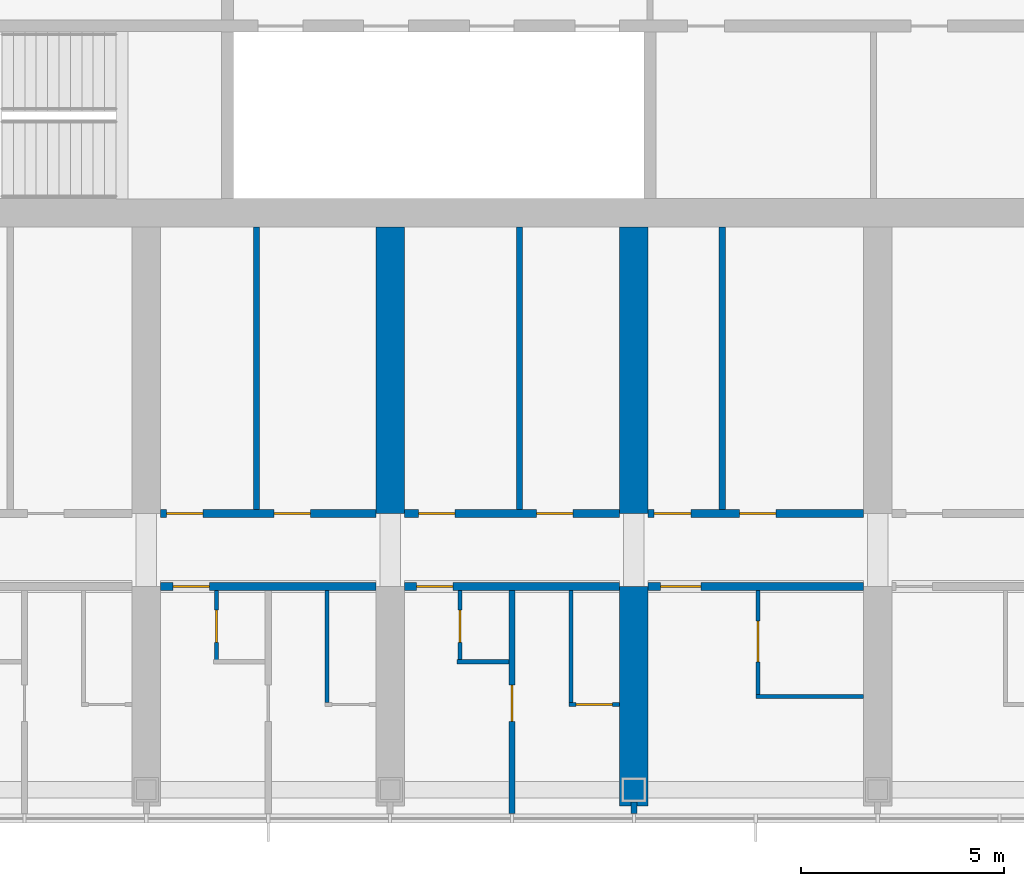
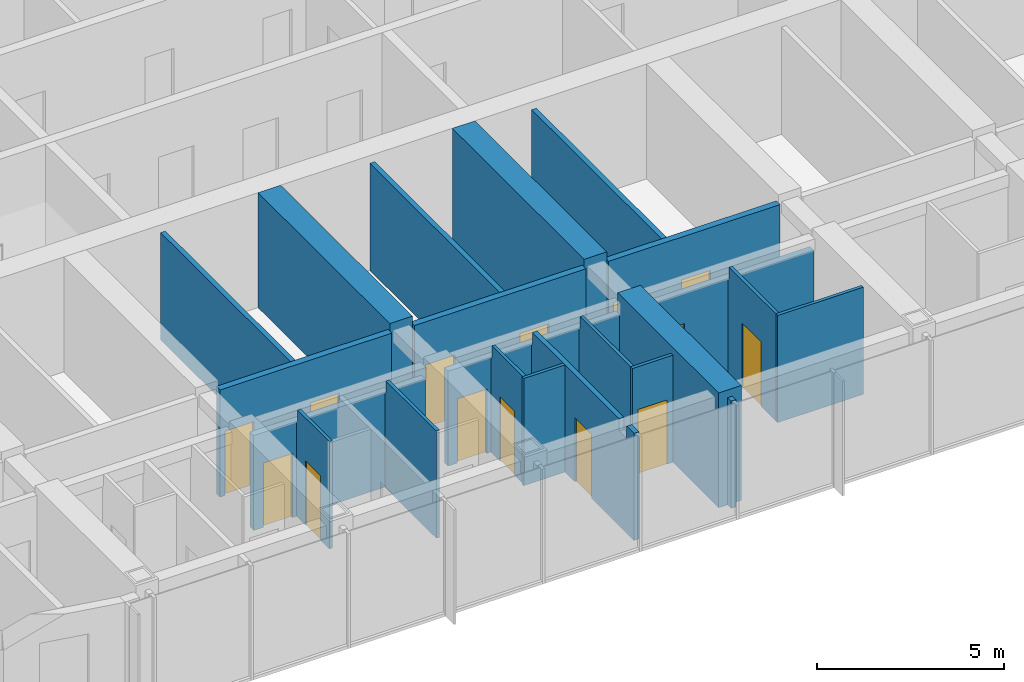
# One storey, part 11 of 24: 22 walls, 14 doors, 14 openings.
"""IFC4 building model written with IfcOpenShell, lengths in metres."""

from ifc_helpers import new_model, si_unit, direction, frame, frame_2d, origin, place, context, subcontext, project, spatial, polyline, rectangle, outline, extrude, material, layer, layer_set, type_object, element, fill, save


model = new_model("IFC4")

# Units and contexts
model_context = context("Model", 3, precision=1e-05, world=origin(), true_north=direction((0.0, 1.0)))
body_context = subcontext(model_context, "Body", "Model", "MODEL_VIEW")
ifc_project = project(units=[si_unit("LENGTHUNIT", "METRE"), si_unit("AREAUNIT", "SQUARE_METRE"), si_unit("VOLUMEUNIT", "CUBIC_METRE"), si_unit("PLANEANGLEUNIT", "RADIAN"), si_unit("MASSUNIT", "GRAM", prefix="KILO")], contexts=[model_context])

# Site, building, storey
site_placement = place(None, origin())
site = spatial("IfcSite", under=ifc_project, at=site_placement, CompositionType="ELEMENT")
building_placement = place(site_placement, origin())
building = spatial("IfcBuilding", under=site, at=building_placement, Name="Orbita Commons", CompositionType="ELEMENT")
storey_placement = place(building_placement, frame((0.0, 0.0, 235.300048828125)))
storey = spatial("IfcBuildingStorey", under=building, at=storey_placement, Name="L58", CompositionType="ELEMENT", Elevation=235.300048828125)

# Wall, opening, door
ifc_material_1 = material(Name="Concrete blockwork", Category="masonry")
ifc_layer_1 = layer(ifc_material_1, 0.199951171875)
ifc_layer_set_1 = layer_set([ifc_layer_1], Name="Concrete blockwork")
wall_type_1 = type_object("IfcWallType", Name="Corridor wall 200 blockwork", PredefinedType="SOLIDWALL", material=ifc_layer_set_1)
wall_1_placement = place(storey_placement, frame((24.35009765625, 16.60009765625, 0.0), z_axis=(0.0, 0.0, 1.0), x_axis=(1.0, 0.0, 0.0)))
wall_1 = element("IfcWall", 1, at=wall_1_placement, inside=storey, type_object=wall_type_1, Name="Corridor wall 200 blockwork L58", PredefinedType="SOLIDWALL", context=body_context, shape_type="SweptSolid", body=[
    extrude(outline(polyline([(0.0, 0.0), (5.2998046875, 0.0), (5.300048828125, 3.099853515625), (0.0, 3.099853515625), (0.0, 0.0)])), frame((0.0, 0.10009765625, 0.0), z_axis=(0.0, -1.0, 0.0), x_axis=(1.0, 0.0, 0.0)), (0.0, 0.0, 1.0), 0.199951171875),
])
opening_1_placement = place(wall_1_placement, frame((0.300048828125, 0.0, 0.0)))
opening_1 = element("IfcOpeningElement", 2, at=opening_1_placement, cuts=wall_1, Name="Opening D11", PredefinedType="OPENING", context=body_context, shape_type="SweptSolid", body=[
    extrude(rectangle(XDim=0.89990234375, YDim=2.10009765625, at=frame_2d((0.449951171875, 1.050048828125))), frame((0.0, 0.10986328125, 0.0), z_axis=(0.0, -1.0, 0.0), x_axis=(1.0, 0.0, 0.0)), (0.0, 0.0, 1.0), 0.219970703125),
])
ifc_material_2 = material(Name="Steel-faced fire door leaf", Category="steel")
door_type_1 = type_object("IfcDoorType", Name="Corridor door 20 min 900x2100", OperationType="SINGLE_SWING_LEFT", PredefinedType="DOOR", material=ifc_material_2)
door_1_placement = place(opening_1_placement, origin())
door_1 = element("IfcDoor", 3, at=door_1_placement, inside=storey, type_object=door_type_1, Name="Guest suite sitting room and kitchenette L58-S02 entrance door", OperationType="SINGLE_SWING_LEFT", OverallHeight=2.10009765625, OverallWidth=0.89990234375, PredefinedType="DOOR", context=body_context, shape_type="SweptSolid", body=[
    extrude(rectangle(XDim=0.89990234375, YDim=2.10009765625, at=frame_2d((0.449951171875, 1.050048828125))), frame((0.0, 0.02490234375, 0.0), z_axis=(0.0, -1.0, 0.0), x_axis=(1.0, 0.0, 0.0)), (0.0, 0.0, 1.0), 0.050048828125),
])
fill(opening_1, door_1)

wall_2_placement = place(storey_placement, frame((30.35009765625, 16.60009765625, 0.0), z_axis=(0.0, 0.0, 1.0), x_axis=(1.0, 0.0, 0.0)))
wall_2 = element("IfcWall", 4, at=wall_2_placement, inside=storey, type_object=wall_type_1, Name="Corridor wall 200 blockwork L58", PredefinedType="SOLIDWALL", context=body_context, shape_type="SweptSolid", body=[
    extrude(outline(polyline([(0.0, 0.0), (5.2998046875, 0.0), (5.300048828125, 3.099853515625), (0.0, 3.099853515625), (0.0, 0.0)])), frame((0.0, 0.10009765625, 0.0), z_axis=(0.0, -1.0, 0.0), x_axis=(1.0, 0.0, 0.0)), (0.0, 0.0, 1.0), 0.199951171875),
])
opening_2_placement = place(wall_2_placement, frame((0.300048828125, 0.0, 0.0)))
opening_2 = element("IfcOpeningElement", 5, at=opening_2_placement, cuts=wall_2, Name="Opening D11", PredefinedType="OPENING", context=body_context, shape_type="SweptSolid", body=[
    extrude(rectangle(XDim=0.89990234375, YDim=2.10009765625, at=frame_2d((0.449951171875, 1.050048828125))), frame((0.0, 0.10986328125, 0.0), z_axis=(0.0, -1.0, 0.0), x_axis=(1.0, 0.0, 0.0)), (0.0, 0.0, 1.0), 0.219970703125),
])
door_2_placement = place(opening_2_placement, origin())
door_2 = element("IfcDoor", 6, at=door_2_placement, inside=storey, type_object=door_type_1, Name="Guest suite sitting room and kitchenette L58-S04 entrance door", OperationType="SINGLE_SWING_LEFT", OverallHeight=2.10009765625, OverallWidth=0.89990234375, PredefinedType="DOOR", context=body_context, shape_type="SweptSolid", body=[
    extrude(rectangle(XDim=0.89990234375, YDim=2.10009765625, at=frame_2d((0.449951171875, 1.050048828125))), frame((0.0, 0.02490234375, 0.0), z_axis=(0.0, -1.0, 0.0), x_axis=(1.0, 0.0, 0.0)), (0.0, 0.0, 1.0), 0.050048828125),
])
fill(opening_2, door_2)

wall_3_placement = place(storey_placement, frame((36.35009765625, 16.60009765625, 0.0), z_axis=(0.0, 0.0, 1.0), x_axis=(1.0, 0.0, 0.0)))
wall_3 = element("IfcWall", 7, at=wall_3_placement, inside=storey, type_object=wall_type_1, Name="Corridor wall 200 blockwork L58", PredefinedType="SOLIDWALL", context=body_context, shape_type="SweptSolid", body=[
    extrude(outline(polyline([(0.0, 0.0), (5.2998046875, 0.0), (5.300048828125, 3.099853515625), (0.0, 3.099853515625), (0.0, 0.0)])), frame((0.0, 0.10009765625, 0.0), z_axis=(0.0, -1.0, 0.0), x_axis=(1.0, 0.0, 0.0)), (0.0, 0.0, 1.0), 0.199951171875),
])
opening_3_placement = place(wall_3_placement, frame((0.300048828125, 0.0, 0.0)))
opening_3 = element("IfcOpeningElement", 8, at=opening_3_placement, cuts=wall_3, Name="Opening D06", PredefinedType="OPENING", context=body_context, shape_type="SweptSolid", body=[
    extrude(rectangle(XDim=1.0, YDim=2.10009765625, at=frame_2d((0.5, 1.050048828125))), frame((0.0, 0.10986328125, 0.0), z_axis=(0.0, -1.0, 0.0), x_axis=(1.0, 0.0, 0.0)), (0.0, 0.0, 1.0), 0.219970703125),
])
ifc_material_3 = material(Name="Steel-faced fire door leaf", Category="steel")
door_type_2 = type_object("IfcDoorType", Name="Corridor door 20 min 1000x2100", OperationType="SINGLE_SWING_LEFT", PredefinedType="DOOR", material=ifc_material_3)
door_3_placement = place(opening_3_placement, origin())
door_3 = element("IfcDoor", 9, at=door_3_placement, inside=storey, type_object=door_type_2, Name="Accessible bedroom L58-S06 door", OperationType="SINGLE_SWING_LEFT", OverallHeight=2.10009765625, OverallWidth=1.0, PredefinedType="DOOR", context=body_context, shape_type="SweptSolid", body=[
    extrude(rectangle(XDim=1.0, YDim=2.10009765625, at=frame_2d((0.5, 1.050048828125))), frame((0.0, 0.02490234375, 0.0), z_axis=(0.0, -1.0, 0.0), x_axis=(1.0, 0.0, 0.0)), (0.0, 0.0, 1.0), 0.050048828125),
])
fill(opening_3, door_3)

# Wall, openings, doors
ifc_material_4 = material(Name="Hollow concrete block 200", Category="concrete")
ifc_layer_2 = layer(ifc_material_4, 0.199951171875)
ifc_layer_set_2 = layer_set([ifc_layer_2], Name="Hollow concrete block 200")
wall_type_2 = type_object("IfcWallType", Name="Corridor wall 200 hollow concrete block", PredefinedType="SOLIDWALL", material=ifc_layer_set_2)
wall_4_placement = place(storey_placement, frame((24.35009765625, 18.39990234375, 0.0), z_axis=(0.0, 0.0, 1.0), x_axis=(1.0, 0.0, 0.0)))
wall_4 = element("IfcWall", 10, at=wall_4_placement, inside=storey, type_object=wall_type_2, Name="Corridor wall 200 hollow concrete block L58", PredefinedType="SOLIDWALL", context=body_context, shape_type="SweptSolid", body=[
    extrude(rectangle(XDim=5.2998046875, YDim=0.199951171875, at=frame_2d((2.64990234375, 0.0))), origin(), (0.0, 0.0, 1.0), 3.5),
])
opening_4_placement = place(wall_4_placement, frame((0.14990234375, 0.0, 0.0)))
opening_4 = element("IfcOpeningElement", 11, at=opening_4_placement, cuts=wall_4, Name="Opening D11", PredefinedType="OPENING", context=body_context, shape_type="SweptSolid", body=[
    extrude(rectangle(XDim=0.89990234375, YDim=2.10009765625, at=frame_2d((0.449951171875, 1.050048828125))), frame((0.0, 0.10986328125, 0.0), z_axis=(0.0, -1.0, 0.0), x_axis=(1.0, 0.0, 0.0)), (0.0, 0.0, 1.0), 0.219970703125),
])
opening_5_placement = place(wall_4_placement, frame((2.7900390625, 0.0, 0.0)))
opening_5 = element("IfcOpeningElement", 12, at=opening_5_placement, cuts=wall_4, Name="Opening D11", PredefinedType="OPENING", context=body_context, shape_type="SweptSolid", body=[
    extrude(rectangle(XDim=0.89990234375, YDim=2.10009765625, at=frame_2d((0.449951171875, 1.050048828125))), frame((0.0, 0.10986328125, 0.0), z_axis=(0.0, -1.0, 0.0), x_axis=(1.0, 0.0, 0.0)), (0.0, 0.0, 1.0), 0.219970703125),
])
door_4_placement = place(opening_4_placement, origin())
door_4 = element("IfcDoor", 13, at=door_4_placement, inside=storey, type_object=door_type_1, Name="Water heater cupboard L58-BDS24n door", OperationType="SINGLE_SWING_LEFT", OverallHeight=2.10009765625, OverallWidth=0.89990234375, PredefinedType="DOOR", context=body_context, shape_type="SweptSolid", body=[
    extrude(rectangle(XDim=0.89990234375, YDim=2.10009765625, at=frame_2d((0.449951171875, 1.050048828125))), frame((0.0, 0.02490234375, 0.0), z_axis=(0.0, -1.0, 0.0), x_axis=(1.0, 0.0, 0.0)), (0.0, 0.0, 1.0), 0.050048828125),
])
fill(opening_4, door_4)
door_5_placement = place(opening_5_placement, origin())
door_5 = element("IfcDoor", 14, at=door_5_placement, inside=storey, type_object=door_type_1, Name="Meeting room L58-BDS24 door", OperationType="SINGLE_SWING_LEFT", OverallHeight=2.10009765625, OverallWidth=0.89990234375, PredefinedType="DOOR", context=body_context, shape_type="SweptSolid", body=[
    extrude(rectangle(XDim=0.89990234375, YDim=2.10009765625, at=frame_2d((0.449951171875, 1.050048828125))), frame((0.0, 0.02490234375, 0.0), z_axis=(0.0, -1.0, 0.0), x_axis=(1.0, 0.0, 0.0)), (0.0, 0.0, 1.0), 0.050048828125),
])
fill(opening_5, door_5)

wall_5_placement = place(storey_placement, frame((30.35009765625, 18.39990234375, 0.0), z_axis=(0.0, 0.0, 1.0), x_axis=(1.0, 0.0, 0.0)))
wall_5 = element("IfcWall", 15, at=wall_5_placement, inside=storey, type_object=wall_type_2, Name="Corridor wall 200 hollow concrete block L58", PredefinedType="SOLIDWALL", context=body_context, shape_type="SweptSolid", body=[
    extrude(rectangle(XDim=5.2998046875, YDim=0.199951171875, at=frame_2d((2.64990234375, 0.0))), origin(), (0.0, 0.0, 1.0), 3.5),
])
opening_6_placement = place(wall_5_placement, frame((0.35009765625, 0.0, 0.0)))
opening_6 = element("IfcOpeningElement", 16, at=opening_6_placement, cuts=wall_5, Name="Opening D11", PredefinedType="OPENING", context=body_context, shape_type="SweptSolid", body=[
    extrude(rectangle(XDim=0.89990234375, YDim=2.10009765625, at=frame_2d((0.449951171875, 1.050048828125))), frame((0.0, 0.10986328125, 0.0), z_axis=(0.0, -1.0, 0.0), x_axis=(1.0, 0.0, 0.0)), (0.0, 0.0, 1.0), 0.219970703125),
])
opening_7_placement = place(wall_5_placement, frame((3.2548828125, 0.0, 0.0)))
opening_7 = element("IfcOpeningElement", 17, at=opening_7_placement, cuts=wall_5, Name="Opening D11", PredefinedType="OPENING", context=body_context, shape_type="SweptSolid", body=[
    extrude(rectangle(XDim=0.89990234375, YDim=2.10009765625, at=frame_2d((0.449951171875, 1.050048828125))), frame((0.0, 0.10986328125, 0.0), z_axis=(0.0, -1.0, 0.0), x_axis=(1.0, 0.0, 0.0)), (0.0, 0.0, 1.0), 0.219970703125),
])
door_6_placement = place(opening_6_placement, origin())
door_6 = element("IfcDoor", 18, at=door_6_placement, inside=storey, type_object=door_type_1, Name="Equipment store L58-BDS30n door", OperationType="SINGLE_SWING_LEFT", OverallHeight=2.10009765625, OverallWidth=0.89990234375, PredefinedType="DOOR", context=body_context, shape_type="SweptSolid", body=[
    extrude(rectangle(XDim=0.89990234375, YDim=2.10009765625, at=frame_2d((0.449951171875, 1.050048828125))), frame((0.0, 0.02490234375, 0.0), z_axis=(0.0, -1.0, 0.0), x_axis=(1.0, 0.0, 0.0)), (0.0, 0.0, 1.0), 0.050048828125),
])
fill(opening_6, door_6)
door_7_placement = place(opening_7_placement, origin())
door_7 = element("IfcDoor", 19, at=door_7_placement, inside=storey, type_object=door_type_1, Name="Board room L58-BDS30 door", OperationType="SINGLE_SWING_LEFT", OverallHeight=2.10009765625, OverallWidth=0.89990234375, PredefinedType="DOOR", context=body_context, shape_type="SweptSolid", body=[
    extrude(rectangle(XDim=0.89990234375, YDim=2.10009765625, at=frame_2d((0.449951171875, 1.050048828125))), frame((0.0, 0.02490234375, 0.0), z_axis=(0.0, -1.0, 0.0), x_axis=(1.0, 0.0, 0.0)), (0.0, 0.0, 1.0), 0.050048828125),
])
fill(opening_7, door_7)

wall_6_placement = place(storey_placement, frame((36.35009765625, 18.39990234375, 0.0), z_axis=(0.0, 0.0, 1.0), x_axis=(1.0, 0.0, 0.0)))
wall_6 = element("IfcWall", 20, at=wall_6_placement, inside=storey, type_object=wall_type_2, Name="Corridor wall 200 hollow concrete block L58", PredefinedType="SOLIDWALL", context=body_context, shape_type="SweptSolid", body=[
    extrude(rectangle(XDim=5.2998046875, YDim=0.199951171875, at=frame_2d((2.64990234375, 0.0))), origin(), (0.0, 0.0, 1.0), 3.5),
])
opening_8_placement = place(wall_6_placement, frame((0.14990234375, 0.0, 0.0)))
opening_8 = element("IfcOpeningElement", 21, at=opening_8_placement, cuts=wall_6, Name="Opening D11", PredefinedType="OPENING", context=body_context, shape_type="SweptSolid", body=[
    extrude(rectangle(XDim=0.89990234375, YDim=2.10009765625, at=frame_2d((0.449951171875, 1.050048828125))), frame((0.0, 0.10986328125, 0.0), z_axis=(0.0, -1.0, 0.0), x_axis=(1.0, 0.0, 0.0)), (0.0, 0.0, 1.0), 0.219970703125),
])
opening_9_placement = place(wall_6_placement, frame((2.25, 0.0, 0.0)))
opening_9 = element("IfcOpeningElement", 22, at=opening_9_placement, cuts=wall_6, Name="Opening D11", PredefinedType="OPENING", context=body_context, shape_type="SweptSolid", body=[
    extrude(rectangle(XDim=0.89990234375, YDim=2.10009765625, at=frame_2d((0.449951171875, 1.050048828125))), frame((0.0, 0.10986328125, 0.0), z_axis=(0.0, -1.0, 0.0), x_axis=(1.0, 0.0, 0.0)), (0.0, 0.0, 1.0), 0.219970703125),
])
door_8_placement = place(opening_8_placement, origin())
door_8 = element("IfcDoor", 23, at=door_8_placement, inside=storey, type_object=door_type_1, Name="Luggage store L58-BDS36n door", OperationType="SINGLE_SWING_LEFT", OverallHeight=2.10009765625, OverallWidth=0.89990234375, PredefinedType="DOOR", context=body_context, shape_type="SweptSolid", body=[
    extrude(rectangle(XDim=0.89990234375, YDim=2.10009765625, at=frame_2d((0.449951171875, 1.050048828125))), frame((0.0, 0.02490234375, 0.0), z_axis=(0.0, -1.0, 0.0), x_axis=(1.0, 0.0, 0.0)), (0.0, 0.0, 1.0), 0.050048828125),
])
fill(opening_8, door_8)
door_9_placement = place(opening_9_placement, origin())
door_9 = element("IfcDoor", 24, at=door_9_placement, inside=storey, type_object=door_type_1, Name="Parcel and post room L58-BDS36 door", OperationType="SINGLE_SWING_LEFT", OverallHeight=2.10009765625, OverallWidth=0.89990234375, PredefinedType="DOOR", context=body_context, shape_type="SweptSolid", body=[
    extrude(rectangle(XDim=0.89990234375, YDim=2.10009765625, at=frame_2d((0.449951171875, 1.050048828125))), frame((0.0, 0.02490234375, 0.0), z_axis=(0.0, -1.0, 0.0), x_axis=(1.0, 0.0, 0.0)), (0.0, 0.0, 1.0), 0.050048828125),
])
fill(opening_9, door_9)

# Walls
ifc_material_5 = material(Name="Concrete C50/60", Category="concrete")
ifc_layer_3 = layer(ifc_material_5, 0.699951171875)
ifc_layer_set_3 = layer_set([ifc_layer_3], Name="Concrete C50/60")
wall_type_3 = type_object("IfcWallType", Name="Cross wall 700 C50/60", PredefinedType="SHEAR", material=ifc_layer_set_3)
wall_7_placement = place(storey_placement, frame((30.0, 18.39990234375, 0.0), z_axis=(0.0, 0.0, 1.0), x_axis=(0.0, 1.0, 0.0)))
element("IfcWall", 25, at=wall_7_placement, inside=storey, type_object=wall_type_3, Name="Cross wall 6 south inner L58", PredefinedType="SHEAR", context=body_context, shape_type="SweptSolid", body=[
    extrude(rectangle(XDim=7.050048828125, YDim=0.699951171875, at=frame_2d((3.52490234375, 0.0))), origin(), (0.0, 0.0, 1.0), 3.75),
])
wall_8_placement = place(storey_placement, frame((36.0, 11.199951171875, 0.0), z_axis=(0.0, 0.0, 1.0), x_axis=(0.0, 1.0, 0.0)))
element("IfcWall", 26, at=wall_8_placement, inside=storey, type_object=wall_type_3, Name="Cross wall 7 south outer L58", PredefinedType="SHEAR", context=body_context, shape_type="SweptSolid", body=[
    extrude(rectangle(XDim=5.400146484375, YDim=0.699951171875, at=frame_2d((2.7001953125, 0.0))), origin(), (0.0, 0.0, 1.0), 3.75),
])
wall_9_placement = place(storey_placement, frame((36.0, 18.39990234375, 0.0), z_axis=(0.0, 0.0, 1.0), x_axis=(0.0, 1.0, 0.0)))
element("IfcWall", 27, at=wall_9_placement, inside=storey, type_object=wall_type_3, Name="Cross wall 7 south inner L58", PredefinedType="SHEAR", context=body_context, shape_type="SweptSolid", body=[
    extrude(rectangle(XDim=7.050048828125, YDim=0.699951171875, at=frame_2d((3.52490234375, 0.0))), origin(), (0.0, 0.0, 1.0), 3.75),
])
ifc_material_6 = material(Name="Moisture-resistant plasterboard on steel studs", Category="steel")
ifc_layer_4 = layer(ifc_material_6, 0.10009765625)
ifc_layer_set_4 = layer_set([ifc_layer_4], Name="Moisture-resistant plasterboard on steel studs")
wall_type_4 = type_object("IfcWallType", Name="En-suite partition 100", PredefinedType="PARTITIONING", material=ifc_layer_set_4)
wall_10_placement = place(storey_placement, frame((28.449951171875, 13.75, 0.0), z_axis=(0.0, 0.0, 1.0), x_axis=(0.0, 1.0, 0.0)))
element("IfcWall", 28, at=wall_10_placement, inside=storey, type_object=wall_type_4, Name="En-suite partition 100 L58", PredefinedType="PARTITIONING", context=body_context, shape_type="SweptSolid", body=[
    extrude(outline(polyline([(0.0, 0.0), (2.75, 0.0), (2.75, 3.099853515625), (2.701904296875, 3.099853515625), (2.699951171875, 3.5), (0.0, 3.5), (0.0, 0.0)])), frame((0.0, 0.050048828125, 0.0), z_axis=(0.0, -1.0, 0.0), x_axis=(1.0, 0.0, 0.0)), (0.0, 0.0, 1.0), 0.10009765625),
])

# Wall, opening, door
wall_11_placement = place(storey_placement, frame((25.72509765625, 14.75, 0.0), z_axis=(0.0, 0.0, 1.0), x_axis=(0.0, 1.0, 0.0)))
wall_11 = element("IfcWall", 29, at=wall_11_placement, inside=storey, type_object=wall_type_4, Name="En-suite partition 100 L58", PredefinedType="PARTITIONING", context=body_context, shape_type="SweptSolid", body=[
    extrude(outline(polyline([(0.0, 0.0), (1.75, 0.0), (1.75, 3.099853515625), (1.701904296875, 3.099853515625), (1.699951171875, 3.5), (0.0, 3.5), (0.0, 0.0)])), frame((0.0, 0.050048828125, 0.0), z_axis=(0.0, -1.0, 0.0), x_axis=(1.0, 0.0, 0.0)), (0.0, 0.0, 1.0), 0.10009765625),
])
opening_10_placement = place(wall_11_placement, frame((0.47509765625, 0.0, 0.0)))
opening_10 = element("IfcOpeningElement", 30, at=opening_10_placement, cuts=wall_11, Name="Opening D16", PredefinedType="OPENING", context=body_context, shape_type="SweptSolid", body=[
    extrude(rectangle(XDim=0.800048828125, YDim=2.10009765625, at=frame_2d((0.39990234375, 1.050048828125))), frame((0.0, 0.06005859375, 0.0), z_axis=(0.0, -1.0, 0.0), x_axis=(1.0, 0.0, 0.0)), (0.0, 0.0, 1.0), 0.1201171875),
])
ifc_material_7 = material(Name="Laminated timber door leaf", Category="wood")
door_type_3 = type_object("IfcDoorType", Name="En-suite door 800x2100", OperationType="SINGLE_SWING_RIGHT", PredefinedType="DOOR", material=ifc_material_7)
door_10_placement = place(opening_10_placement, origin())
door_10 = element("IfcDoor", 31, at=door_10_placement, inside=storey, type_object=door_type_3, Name="Guest suite WC L58-S02 door", OperationType="SINGLE_SWING_RIGHT", OverallHeight=2.10009765625, OverallWidth=0.800048828125, PredefinedType="DOOR", context=body_context, shape_type="SweptSolid", body=[
    extrude(rectangle(XDim=0.800048828125, YDim=2.10009765625, at=frame_2d((0.39990234375, 1.050048828125))), frame((0.0, 0.02490234375, 0.0), z_axis=(0.0, -1.0, 0.0), x_axis=(1.0, 0.0, 0.0)), (0.0, 0.0, 1.0), 0.050048828125),
])
fill(opening_10, door_10)

wall_12_placement = place(storey_placement, frame((35.64990234375, 13.699951171875, 0.0), z_axis=(0.0, 0.0, 1.0), x_axis=(-1.0, 0.0, 0.0)))
wall_12 = element("IfcWall", 32, at=wall_12_placement, inside=storey, type_object=wall_type_4, Name="En-suite partition 100 L58", PredefinedType="PARTITIONING", context=body_context, shape_type="SweptSolid", body=[
    extrude(rectangle(XDim=1.25, YDim=0.10009765625, at=frame_2d((0.625, 0.0))), origin(), (0.0, 0.0, 1.0), 3.5),
])
opening_11_placement = place(wall_12_placement, frame((0.175048828125, 0.0, 0.0)))
opening_11 = element("IfcOpeningElement", 33, at=opening_11_placement, cuts=wall_12, Name="Opening D09", PredefinedType="OPENING", context=body_context, shape_type="SweptSolid", body=[
    extrude(rectangle(XDim=0.89990234375, YDim=2.10009765625, at=frame_2d((0.449951171875, 1.050048828125))), frame((0.0, 0.06005859375, 0.0), z_axis=(0.0, -1.0, 0.0), x_axis=(1.0, 0.0, 0.0)), (0.0, 0.0, 1.0), 0.1201171875),
])
ifc_material_8 = material(Name="Laminated timber door leaf", Category="wood")
door_type_4 = type_object("IfcDoorType", Name="En-suite door 900x2100", OperationType="SINGLE_SWING_RIGHT", PredefinedType="DOOR", material=ifc_material_8)
door_11_placement = place(opening_11_placement, origin())
door_11 = element("IfcDoor", 34, at=door_11_placement, inside=storey, type_object=door_type_4, Name="En-suite L58-S05 door", OperationType="SINGLE_SWING_RIGHT", OverallHeight=2.10009765625, OverallWidth=0.89990234375, PredefinedType="DOOR", context=body_context, shape_type="SweptSolid", body=[
    extrude(rectangle(XDim=0.89990234375, YDim=2.10009765625, at=frame_2d((0.449951171875, 1.050048828125))), frame((0.0, 0.02490234375, 0.0), z_axis=(0.0, -1.0, 0.0), x_axis=(1.0, 0.0, 0.0)), (0.0, 0.0, 1.0), 0.050048828125),
])
fill(opening_11, door_11)

# Walls
wall_13_placement = place(storey_placement, frame((34.449951171875, 13.75, 0.0), z_axis=(0.0, 0.0, 1.0), x_axis=(0.0, 1.0, 0.0)))
element("IfcWall", 35, at=wall_13_placement, inside=storey, type_object=wall_type_4, Name="En-suite partition 100 L58", PredefinedType="PARTITIONING", context=body_context, shape_type="SweptSolid", body=[
    extrude(outline(polyline([(0.0, 0.0), (2.75, 0.0), (2.75, 3.099853515625), (2.701904296875, 3.099853515625), (2.699951171875, 3.5), (0.0, 3.5), (0.0, 0.0)])), frame((0.0, 0.050048828125, 0.0), z_axis=(0.0, -1.0, 0.0), x_axis=(1.0, 0.0, 0.0)), (0.0, 0.0, 1.0), 0.10009765625),
])
wall_14_placement = place(storey_placement, frame((31.64990234375, 14.75, 0.0), z_axis=(0.0, 0.0, 1.0), x_axis=(1.0, 0.0, 0.0)))
element("IfcWall", 36, at=wall_14_placement, inside=storey, type_object=wall_type_4, Name="En-suite partition 100 L58", PredefinedType="PARTITIONING", context=body_context, shape_type="SweptSolid", body=[
    extrude(rectangle(XDim=1.275146484375, YDim=0.10009765625, at=frame_2d((0.6376953125, 0.0))), origin(), (0.0, 0.0, 1.0), 3.5),
])

# Wall, opening, door
wall_15_placement = place(storey_placement, frame((31.72509765625, 14.75, 0.0), z_axis=(0.0, 0.0, 1.0), x_axis=(0.0, 1.0, 0.0)))
wall_15 = element("IfcWall", 37, at=wall_15_placement, inside=storey, type_object=wall_type_4, Name="En-suite partition 100 L58", PredefinedType="PARTITIONING", context=body_context, shape_type="SweptSolid", body=[
    extrude(outline(polyline([(0.0, 0.0), (1.75, 0.0), (1.75, 3.099853515625), (1.701904296875, 3.099853515625), (1.699951171875, 3.5), (0.0, 3.5), (0.0, 0.0)])), frame((0.0, 0.050048828125, 0.0), z_axis=(0.0, -1.0, 0.0), x_axis=(1.0, 0.0, 0.0)), (0.0, 0.0, 1.0), 0.10009765625),
])
opening_12_placement = place(wall_15_placement, frame((0.47509765625, 0.0, 0.0)))
opening_12 = element("IfcOpeningElement", 38, at=opening_12_placement, cuts=wall_15, Name="Opening D16", PredefinedType="OPENING", context=body_context, shape_type="SweptSolid", body=[
    extrude(rectangle(XDim=0.800048828125, YDim=2.10009765625, at=frame_2d((0.39990234375, 1.050048828125))), frame((0.0, 0.06005859375, 0.0), z_axis=(0.0, -1.0, 0.0), x_axis=(1.0, 0.0, 0.0)), (0.0, 0.0, 1.0), 0.1201171875),
])
door_12_placement = place(opening_12_placement, origin())
door_12 = element("IfcDoor", 39, at=door_12_placement, inside=storey, type_object=door_type_3, Name="Guest suite WC L58-S04 door", OperationType="SINGLE_SWING_RIGHT", OverallHeight=2.10009765625, OverallWidth=0.800048828125, PredefinedType="DOOR", context=body_context, shape_type="SweptSolid", body=[
    extrude(rectangle(XDim=0.800048828125, YDim=2.10009765625, at=frame_2d((0.39990234375, 1.050048828125))), frame((0.0, 0.02490234375, 0.0), z_axis=(0.0, -1.0, 0.0), x_axis=(1.0, 0.0, 0.0)), (0.0, 0.0, 1.0), 0.050048828125),
])
fill(opening_12, door_12)

# Wall
wall_16_placement = place(storey_placement, frame((39.0, 13.89990234375, 0.0), z_axis=(0.0, 0.0, 1.0), x_axis=(1.0, 0.0, 0.0)))
element("IfcWall", 40, at=wall_16_placement, inside=storey, type_object=wall_type_4, Name="En-suite partition 100 L58", PredefinedType="PARTITIONING", context=body_context, shape_type="SweptSolid", body=[
    extrude(rectangle(XDim=2.64990234375, YDim=0.10009765625, at=frame_2d((1.324951171875, 0.0))), origin(), (0.0, 0.0, 1.0), 3.5),
])

# Wall, opening, door
wall_17_placement = place(storey_placement, frame((39.050048828125, 13.949951171875, 0.0), z_axis=(0.0, 0.0, 1.0), x_axis=(0.0, 1.0, 0.0)))
wall_17 = element("IfcWall", 41, at=wall_17_placement, inside=storey, type_object=wall_type_4, Name="En-suite partition 100 L58", PredefinedType="PARTITIONING", context=body_context, shape_type="SweptSolid", body=[
    extrude(outline(polyline([(0.0, 0.0), (2.550048828125, 0.0), (2.550048828125, 3.099853515625), (2.501953125, 3.099853515625), (2.5, 3.5), (0.0, 3.5), (0.0, 0.0)])), frame((0.0, 0.050048828125, 0.0), z_axis=(0.0, -1.0, 0.0), x_axis=(1.0, 0.0, 0.0)), (0.0, 0.0, 1.0), 0.10009765625),
])
opening_13_placement = place(wall_17_placement, frame((0.800048828125, 0.0, 0.0)))
opening_13 = element("IfcOpeningElement", 42, at=opening_13_placement, cuts=wall_17, Name="Opening D13", PredefinedType="OPENING", context=body_context, shape_type="SweptSolid", body=[
    extrude(rectangle(XDim=1.0, YDim=2.10009765625, at=frame_2d((0.5, 1.050048828125))), frame((0.0, 0.06005859375, 0.0), z_axis=(0.0, -1.0, 0.0), x_axis=(1.0, 0.0, 0.0)), (0.0, 0.0, 1.0), 0.1201171875),
])
ifc_material_9 = material(Name="Laminated timber door leaf", Category="wood")
door_type_5 = type_object("IfcDoorType", Name="En-suite door 1000x2100", OperationType="SINGLE_SWING_RIGHT", PredefinedType="DOOR", material=ifc_material_9)
door_13_placement = place(opening_13_placement, origin())
door_13 = element("IfcDoor", 43, at=door_13_placement, inside=storey, type_object=door_type_5, Name="Accessible shower room L58-S06 door", OperationType="SINGLE_SWING_RIGHT", OverallHeight=2.10009765625, OverallWidth=1.0, PredefinedType="DOOR", context=body_context, shape_type="SweptSolid", body=[
    extrude(rectangle(XDim=1.0, YDim=2.10009765625, at=frame_2d((0.5, 1.050048828125))), frame((0.0, 0.02490234375, 0.0), z_axis=(0.0, -1.0, 0.0), x_axis=(1.0, 0.0, 0.0)), (0.0, 0.0, 1.0), 0.050048828125),
])
fill(opening_13, door_13)

ifc_material_10 = material(Name="Gypsum plasterboard on steel studs", Category="steel")
ifc_layer_5 = layer(ifc_material_10, 0.14990234375)
ifc_layer_set_5 = layer_set([ifc_layer_5], Name="Gypsum plasterboard on steel studs")
wall_type_5 = type_object("IfcWallType", Name="Partition 150 plasterboard", PredefinedType="PARTITIONING", material=ifc_layer_set_5)
wall_18_placement = place(storey_placement, frame((33.0, 11.010009765625, 0.0), z_axis=(0.0, 0.0, 1.0), x_axis=(0.0, 1.0, 0.0)))
wall_18 = element("IfcWall", 44, at=wall_18_placement, inside=storey, type_object=wall_type_5, Name="Partition 150 plasterboard L58", PredefinedType="PARTITIONING", context=body_context, shape_type="SweptSolid", body=[
    extrude(outline(polyline([(0.0, 0.0), (5.489990234375, 0.0), (5.489990234375, 3.099853515625), (5.44189453125, 3.099853515625), (5.43994140625, 3.5), (0.7919921875, 3.5), (0.7900390625, 3.099853515625), (0.39208984375, 3.099853515625), (0.389892578125, 3.5), (0.0, 3.5), (0.0, 0.0)])), frame((0.0, 0.074951171875, 0.0), z_axis=(0.0, -1.0, 0.0), x_axis=(1.0, 0.0, 0.0)), (0.0, 0.0, 1.0), 0.14990234375),
])
opening_14_placement = place(wall_18_placement, frame((2.27001953125, 0.0, 0.0)))
opening_14 = element("IfcOpeningElement", 45, at=opening_14_placement, cuts=wall_18, Name="Opening D09", PredefinedType="OPENING", context=body_context, shape_type="SweptSolid", body=[
    extrude(rectangle(XDim=0.89990234375, YDim=2.10009765625, at=frame_2d((0.449951171875, 1.050048828125))), frame((0.0, 0.0849609375, 0.0), z_axis=(0.0, -1.0, 0.0), x_axis=(1.0, 0.0, 0.0)), (0.0, 0.0, 1.0), 0.169921875),
])
door_14_placement = place(opening_14_placement, origin())
door_14 = element("IfcDoor", 46, at=door_14_placement, inside=storey, type_object=door_type_4, Name="Guest suite bedroom L58-S04 door", OperationType="SINGLE_SWING_RIGHT", OverallHeight=2.10009765625, OverallWidth=0.89990234375, PredefinedType="DOOR", context=body_context, shape_type="SweptSolid", body=[
    extrude(rectangle(XDim=0.89990234375, YDim=2.10009765625, at=frame_2d((0.449951171875, 1.050048828125))), frame((0.0, 0.02490234375, 0.0), z_axis=(0.0, -1.0, 0.0), x_axis=(1.0, 0.0, 0.0)), (0.0, 0.0, 1.0), 0.050048828125),
])
fill(opening_14, door_14)

# Walls
for number, where, z_axis, x_axis, name in (
    (47, (26.715087890625, 18.5, 0.0), (0.0, 0.0, 1.0), (0.0, 1.0, 0.0), "Partition 150 plasterboard L58"),
    (48, (33.179931640625, 18.5, 0.0), (0.0, 0.0, 1.0), (0.0, 1.0, 0.0), "Partition 150 plasterboard L58"),
    (49, (38.175048828125, 18.5, 0.0), (0.0, 0.0, 1.0), (0.0, 1.0, 0.0), "Partition 150 plasterboard L58"),
):
    element("IfcWall", number, at=place(storey_placement, frame(where, z_axis=z_axis, x_axis=x_axis)), inside=storey, type_object=wall_type_5, Name=name, PredefinedType="PARTITIONING", context=body_context, shape_type="SweptSolid", body=[
        extrude(rectangle(XDim=6.949951171875, YDim=0.14990234375, at=frame_2d((3.47509765625, 0.0))), origin(), (0.0, 0.0, 1.0), 3.5),
    ])
wall_19_placement = place(storey_placement, frame((36.0, 11.300048828125, 0.0), z_axis=(0.0, 0.0, 1.0), x_axis=(0.0, -1.0, 0.0)))
element("IfcWall", 50, at=wall_19_placement, inside=storey, type_object=wall_type_5, Name="Partition 150 plasterboard L58", PredefinedType="PARTITIONING", context=body_context, shape_type="SweptSolid", body=[
    extrude(rectangle(XDim=0.2900390625, YDim=0.14990234375, at=frame_2d((0.14501953125, 0.0))), origin(), (0.0, 0.0, 1.0), 3.5),
])

save(model, "model.ifc")
